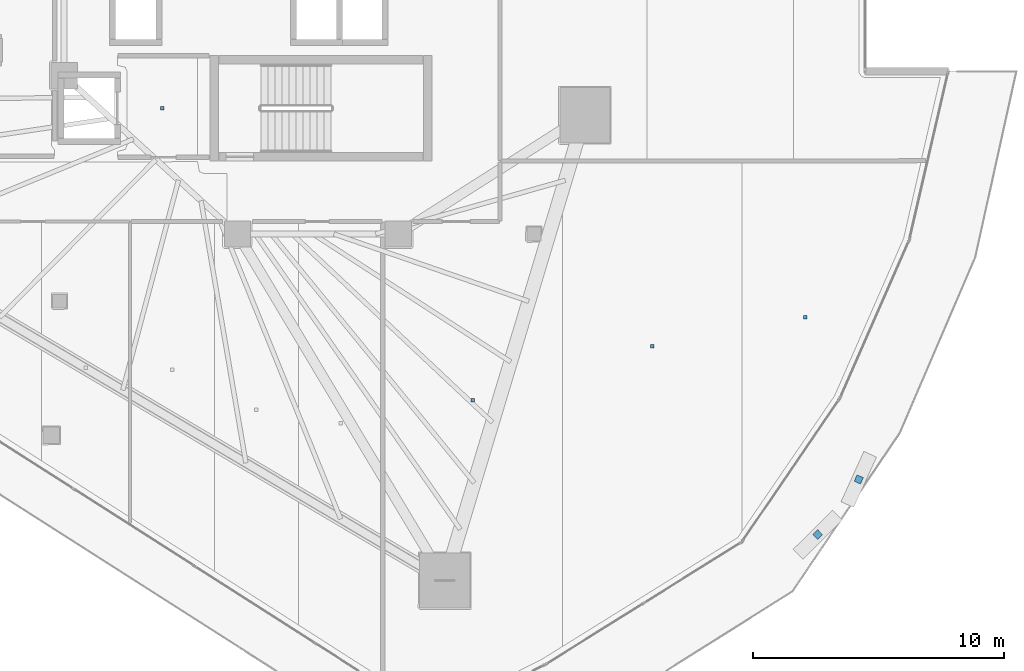
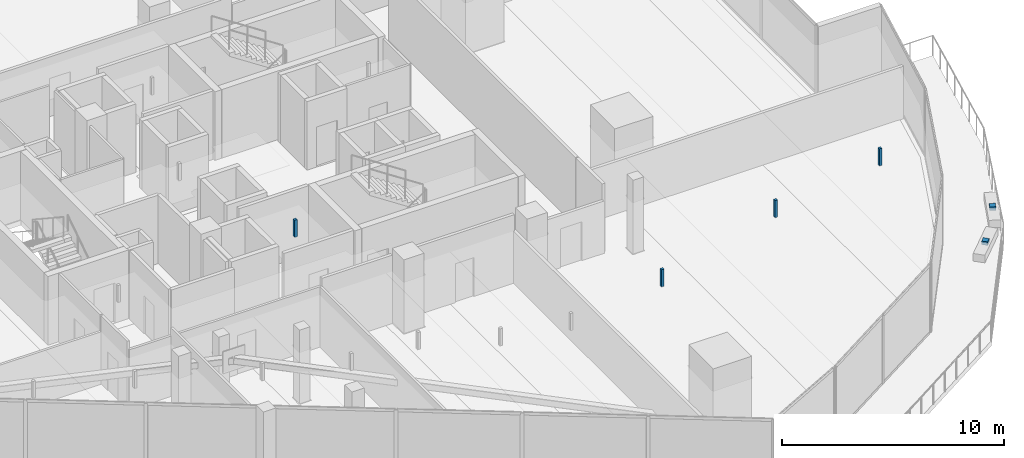
# One storey, part 34 of 45: 6 discrete accessories.
"""IFC4 building model written with IfcOpenShell, lengths in metres."""

from ifc_helpers import new_model, si_unit, direction, frame, origin, origin_2d, place, context, subcontext, project, spatial, rectangle, extrude, material, type_object, element, save


model = new_model("IFC4")

# Units and contexts
model_context = context("Model", 3, precision=1e-05, world=origin(), true_north=direction((0.0, 1.0)))
body_context = subcontext(model_context, "Body", "Model", "MODEL_VIEW")
ifc_project = project(units=[si_unit("LENGTHUNIT", "METRE"), si_unit("AREAUNIT", "SQUARE_METRE"), si_unit("VOLUMEUNIT", "CUBIC_METRE"), si_unit("PLANEANGLEUNIT", "RADIAN"), si_unit("MASSUNIT", "GRAM", prefix="KILO")], contexts=[model_context])

# Site, building, storey
site_placement = place(None, origin())
site = spatial("IfcSite", under=ifc_project, at=site_placement, CompositionType="ELEMENT")
building_placement = place(site_placement, origin())
building = spatial("IfcBuilding", under=site, at=building_placement, Name="Qorvath Tower", CompositionType="ELEMENT")
storey_placement = place(building_placement, frame((0.0, 0.0, 126.0)))
storey = spatial("IfcBuildingStorey", under=building, at=storey_placement, Name="L28", CompositionType="ELEMENT", Elevation=126.0)

# Discrete accessories
ifc_material = material(Name="Galvanised steel bracket", Category="steel")
discrete_accessory_type = type_object("IfcDiscreteAccessoryType", Name="DA-BRACKET", PredefinedType="BRACKET", material=ifc_material)
for number, where, z_axis, x_axis, name in (
    (1, (-0.50244140625, -23.419921875, 3.6298828125), (0.0, 0.0, 1.0), (0.709768709331, 0.704434794183, 0.0), "Louvre Wave Support Bracket L28-03"),
    (2, (1.13232421875, -21.21923828125, 3.6298828125), (0.0, 0.0, 1.0), (0.413331707281, 0.910580528979, 0.0), "Louvre Wave Support Bracket L28-04"),
):
    element("IfcDiscreteAccessory", number, at=place(storey_placement, frame(where, z_axis=z_axis, x_axis=x_axis)), inside=storey, type_object=discrete_accessory_type, Name=name, PredefinedType="NOTDEFINED", context=body_context, shape_type="SweptSolid", body=[
        extrude(rectangle(XDim=0.280029296875, YDim=0.280029296875, at=origin_2d()), origin(), (0.0, 0.0, 1.0), 0.199951171875),
    ])
for number, where, z_axis, x_axis, name in (
    (3, (-26.590087890625, -6.449951171875, 2.860107421875), (0.0, 0.0, 1.0), (1.0, 0.0, 0.0), "Acoustic Ceiling Suspension Hanger T1-L28-002"),
    (4, (-14.22705078125, -18.0693359375, 2.860107421875), (0.0, 0.0, 1.0), (1.0, 0.0, 0.0), "Acoustic Ceiling Suspension Hanger T1-L28-022"),
    (5, (-7.09130859375, -15.9228515625, 2.860107421875), (0.0, 0.0, 1.0), (1.0, 0.0, 0.0), "Acoustic Ceiling Suspension Hanger T1-L28-023"),
    (6, (-0.988525390625, -14.757080078125, 2.860107421875), (0.0, 0.0, 1.0), (1.0, 0.0, 0.0), "Acoustic Ceiling Suspension Hanger T1-L28-024"),
):
    element("IfcDiscreteAccessory", number, at=place(storey_placement, frame(where, z_axis=z_axis, x_axis=x_axis)), inside=storey, type_object=discrete_accessory_type, Name=name, PredefinedType="NOTDEFINED", context=body_context, shape_type="SweptSolid", body=[
        extrude(rectangle(XDim=0.139892578125, YDim=0.139892578125, at=origin_2d()), origin(), (0.0, 0.0, 1.0), 0.93994140625),
    ])

save(model, "model.ifc")
